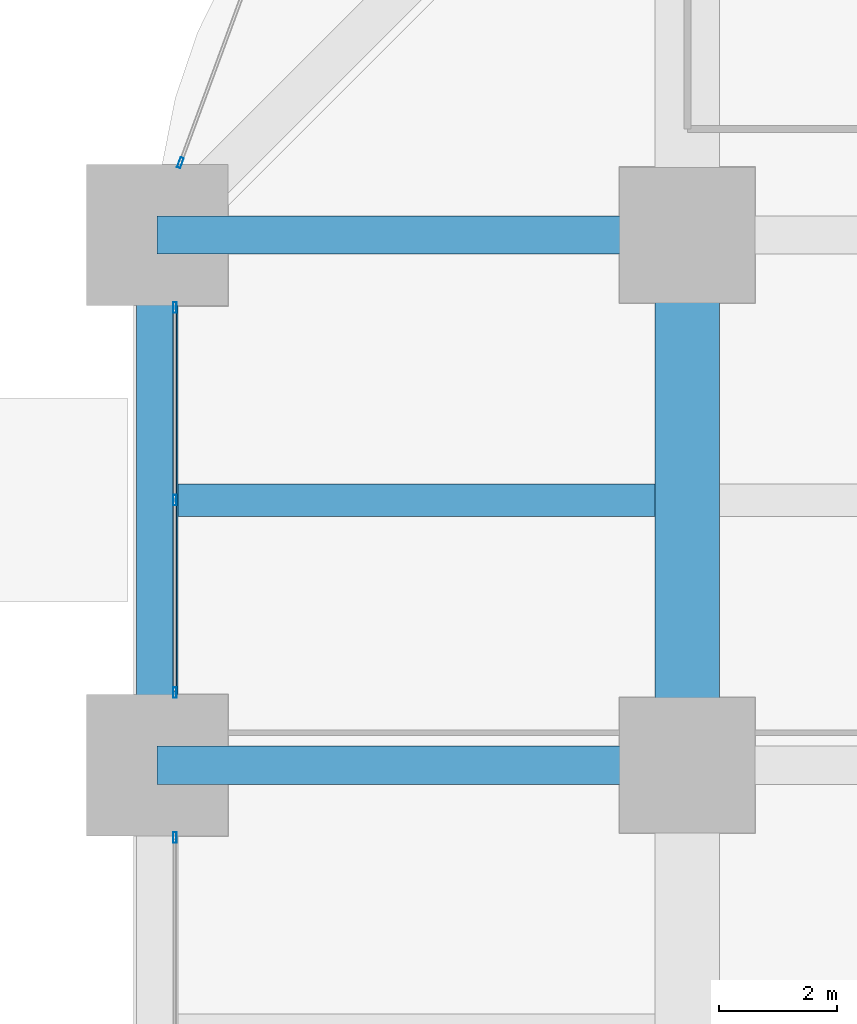
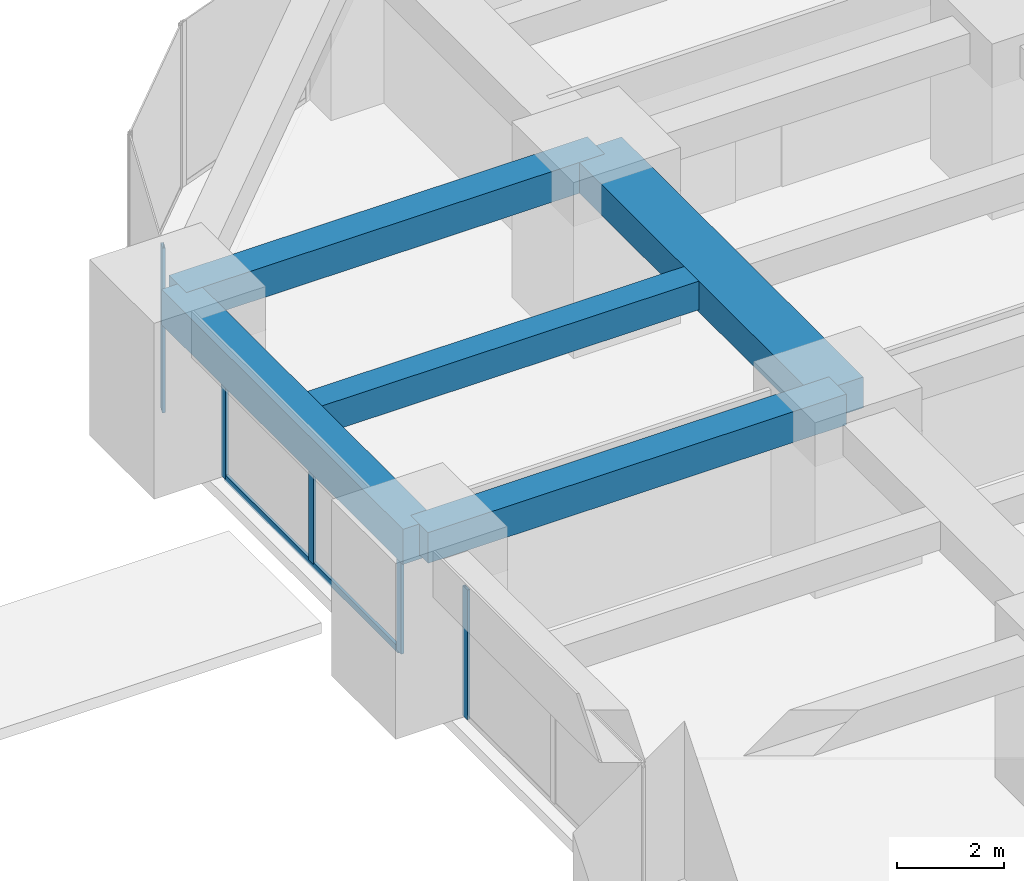
# One storey, part 16 of 39: 6 members, 5 beams, 3 elements without a shape of their own.
"""IFC4 building model written with IfcOpenShell, lengths in metres."""

import ifcopenshell
import ifcopenshell.guid

model = None  # the IFC model being written
_history = None  # IfcOwnerHistory: only IFC2X3 demands one
_inside = {}  # id of a spatial element -> (the spatial element, [elements in it])
_under = {}  # id of a project, library or spatial element -> (it, [spatial elements below it])
_declared = {}  # id of a project -> (the project, [libraries it declares])
_typed = {}  # id of a type object -> (the type object, [elements of that type])
_made_of = {}  # id of a material, layer set ... -> (it, [elements and type objects made of it])


def new_model(schema):
    """Start an empty IFC model of exactly this schema.

    Asked for "IFC4X3", IfcOpenShell would pick the latest addendum, in which some entities
    have other attributes; the version numbers below select the first issue.
    IFC2X3 requires an IfcOwnerHistory on every rooted entity: one is made here for all.
    """
    global model, _history
    if schema == "IFC4X3":
        model = ifcopenshell.file(schema_version=(4, 3, 0, 0))
    else:
        model = ifcopenshell.file(schema=schema)
    _inside.clear()
    _under.clear()
    _declared.clear()
    _typed.clear()
    _made_of.clear()
    _history = None
    if model.schema == "IFC2X3":
        org = make("IfcOrganization", Name="unknown")
        user = make(
            "IfcPersonAndOrganization",
            ThePerson=make("IfcPerson", FamilyName="unknown"),
            TheOrganization=org,
        )
        app = make(
            "IfcApplication",
            ApplicationDeveloper=org,
            Version="unknown",
            ApplicationFullName="unknown",
            ApplicationIdentifier="unknown",
        )
        _history = make(
            "IfcOwnerHistory",
            OwningUser=user,
            OwningApplication=app,
            ChangeAction="ADDED",
            CreationDate=0,
        )
    return model


def make(cls, **values):
    """One entity of the class cls with the attributes given. An attribute that is None is left unset."""
    return model.create_entity(
        cls, **{name: value for name, value in values.items() if value is not None}
    )


def rooted(cls, **values):
    """An entity with a GlobalId (a new one), such as an element, a storey or a relation."""
    return make(cls, GlobalId=ifcopenshell.guid.new(), OwnerHistory=_history, **values)


def si_unit(unit_type, name, prefix=None):
    """IfcSIUnit, for example si_unit("LENGTHUNIT", "METRE", prefix="MILLI")."""
    return make("IfcSIUnit", UnitType=unit_type, Prefix=prefix, Name=name)


def assignment(units):
    """IfcUnitAssignment: the units of a project."""
    return None if units is None else make("IfcUnitAssignment", Units=units)


def point(xyz):
    """IfcCartesianPoint."""
    return None if xyz is None else make("IfcCartesianPoint", Coordinates=xyz)


def direction(xyz):
    """IfcDirection."""
    return None if xyz is None else make("IfcDirection", DirectionRatios=xyz)


def frame(location, z_axis=None, x_axis=None):
    """IfcAxis2Placement3D, a coordinate frame: its origin and axes. An axis left out is left unset."""
    return make(
        "IfcAxis2Placement3D",
        Location=point(location),
        Axis=direction(z_axis),
        RefDirection=direction(x_axis),
    )


def frame_2d(location, x_axis=None):
    """IfcAxis2Placement2D, a coordinate frame in the plane: its origin and x axis."""
    return make(
        "IfcAxis2Placement2D", Location=point(location), RefDirection=direction(x_axis)
    )


def origin():
    """The frame at (0, 0, 0) with its axes left unset."""
    return frame((0.0, 0.0, 0.0))


def origin_2d():
    """The frame at (0, 0) in the plane with its x axis left unset."""
    return frame_2d((0.0, 0.0))


def place(relative_to, where):
    """IfcLocalPlacement: puts the frame where relative to a parent placement (None: the world)."""
    return make(
        "IfcLocalPlacement", PlacementRelTo=relative_to, RelativePlacement=where
    )


def context(
    kind, dimensions, precision=None, world=None, true_north=None, identifier=None
):
    """IfcGeometricRepresentationContext, for example the 3D "Model" context."""
    return make(
        "IfcGeometricRepresentationContext",
        ContextIdentifier=identifier,
        ContextType=kind,
        CoordinateSpaceDimension=dimensions,
        Precision=precision,
        WorldCoordinateSystem=world,
        TrueNorth=true_north,
    )


def subcontext(parent, identifier, kind, view, scale=None):
    """IfcGeometricRepresentationSubContext, for example "Body" below "Model"."""
    return make(
        "IfcGeometricRepresentationSubContext",
        ContextIdentifier=identifier,
        ContextType=kind,
        ParentContext=parent,
        TargetScale=scale,
        TargetView=view,
    )


def project(units=None, contexts=None):
    """IfcProject with its units and contexts."""
    return rooted(
        "IfcProject",
        Name="project",
        RepresentationContexts=contexts,
        UnitsInContext=assignment(units),
    )


def spatial(cls, under=None, at=None, **own):
    """A site, building, storey or space (cls), placed at a placement, below another one or the project."""
    s = rooted(cls, ObjectPlacement=at, **own)
    if under is not None:
        _under.setdefault(under.id(), (under, []))[1].append(s)
    return s


def profile(cls, at=None, kind="AREA", **sizes):
    """A parametric profile (cls). Its sizes go by their IFC names, for example OverallWidth=200.0."""
    return make(cls, ProfileType=kind, Position=at, **sizes)


def rectangle(**sizes):
    """IfcRectangleProfileDef."""
    return profile("IfcRectangleProfileDef", **sizes)


def hollow_rectangle(**sizes):
    """IfcRectangleHollowProfileDef."""
    return profile("IfcRectangleHollowProfileDef", **sizes)


def extrude(swept, where, along, depth):
    """IfcExtrudedAreaSolid: the profile swept, set in the frame where, extruded along a direction by depth."""
    return make(
        "IfcExtrudedAreaSolid",
        SweptArea=swept,
        Position=where,
        ExtrudedDirection=direction(along),
        Depth=depth,
    )


def shape(context_of_items, identifier, shape_type, items):
    """IfcShapeRepresentation: the items that make up one representation, for example the "Body"."""
    return make(
        "IfcShapeRepresentation",
        ContextOfItems=context_of_items,
        RepresentationIdentifier=identifier,
        RepresentationType=shape_type,
        Items=items,
    )


def material(Name=None, Category=None):
    """IfcMaterial."""
    return make("IfcMaterial", Name=Name, Category=Category)


def material_profile(
    of_material, cross_section, Name=None, Category=None, Priority=None
):
    """IfcMaterialProfile: a cross section and its material."""
    return make(
        "IfcMaterialProfile",
        Name=Name,
        Material=of_material,
        Profile=cross_section,
        Priority=Priority,
        Category=Category,
    )


def profile_set(profiles, Name=None, composite=None):
    """IfcMaterialProfileSet."""
    return make(
        "IfcMaterialProfileSet",
        Name=Name,
        MaterialProfiles=profiles,
        CompositeProfile=composite,
    )


def made_of(thing, what):
    """Note that an element or type object is made of a material, layer set ...; save() writes the relation."""
    if what is not None:
        _made_of.setdefault(what.id(), (what, []))[1].append(thing)
    return thing


def type_object(cls, material=None, **own):
    """A type object (cls), such as IfcWallType, which elements share."""
    return made_of(rooted(cls, **own), material)


def element(
    cls,
    number,
    at=None,
    inside=None,
    cuts=None,
    type_object=None,
    material=None,
    context=None,
    identifier="Body",
    shape_type=None,
    held_by="IfcProductDefinitionShape",
    body=None,
    shapes=None,
    **own,
):
    """One element of the class cls, such as IfcWall. Its Tag is "e" and its number.

    at: its placement. inside: the storey or other place that contains it. cuts: it is an
    opening in that element (IfcRelVoidsElement). A single representation is given by context,
    identifier, shape_type and body (its items); several are given by shapes. held_by: the class
    of the entity that holds the representations. save() writes the other relations.
    """
    e = rooted(cls, Tag="e%d" % number, ObjectPlacement=at, **own)
    if body is not None:
        shapes = [shape(context, identifier, shape_type, body)]
    if shapes is not None:
        e.Representation = make(held_by, Representations=shapes)
    if inside is not None:
        _inside.setdefault(inside.id(), (inside, []))[1].append(e)
    if cuts is not None:
        rooted(
            "IfcRelVoidsElement", RelatingBuildingElement=cuts, RelatedOpeningElement=e
        )
    if type_object is not None:
        _typed.setdefault(type_object.id(), (type_object, []))[1].append(e)
    return made_of(e, material)


def aggregate(whole, parts):
    """IfcRelAggregates: a whole, such as a stair, and the parts it consists of."""
    return rooted("IfcRelAggregates", RelatingObject=whole, RelatedObjects=parts)


def save(model, path):
    """Write the relations noted so far, then the file.

    IfcRelAggregates (storeys below a building ...), IfcRelContainedInSpatialStructure (elements
    in a storey), IfcRelDefinesByType, IfcRelAssociatesMaterial and IfcRelDeclares: one each for
    every whole, place, type object, material and project.
    """
    for whole, parts in _under.values():
        aggregate(whole, parts)
    for where, things in _inside.values():
        rooted(
            "IfcRelContainedInSpatialStructure",
            RelatedElements=things,
            RelatingStructure=where,
        )
    for kind, things in _typed.values():
        rooted("IfcRelDefinesByType", RelatedObjects=things, RelatingType=kind)
    for what, things in _made_of.values():
        rooted("IfcRelAssociatesMaterial", RelatedObjects=things, RelatingMaterial=what)
    for by, libraries in _declared.values():
        rooted("IfcRelDeclares", RelatingContext=by, RelatedDefinitions=libraries)
    model.write(path)


model = new_model("IFC4")

# Units and contexts
model_context = context("Model", 3, precision=1e-05, world=origin(), true_north=direction((0.0, 1.0)))
body_context = subcontext(model_context, "Body", "Model", "MODEL_VIEW")
ifc_project = project(units=[si_unit("LENGTHUNIT", "METRE"), si_unit("AREAUNIT", "SQUARE_METRE"), si_unit("VOLUMEUNIT", "CUBIC_METRE"), si_unit("PLANEANGLEUNIT", "RADIAN"), si_unit("MASSUNIT", "GRAM", prefix="KILO")], contexts=[model_context])

# Site, building, storey
site_placement = place(None, origin())
site = spatial("IfcSite", under=ifc_project, at=site_placement, CompositionType="ELEMENT")
building_placement = place(site_placement, origin())
building = spatial("IfcBuilding", under=site, at=building_placement, Name="Zorevar Civic Tower", CompositionType="ELEMENT")
storey_placement = place(building_placement, frame((0.0, 0.0, 19.800048828125)))
storey = spatial("IfcBuildingStorey", under=building, at=storey_placement, Name="L04", CompositionType="ELEMENT", Elevation=19.800048828125)

# Beams
ifc_material_1 = material(Name="Concrete C50/60", Category="concrete")
ifc_material_profile_1 = material_profile(ifc_material_1, rectangle(XDim=1.10009765625, YDim=0.699951171875, at=origin_2d()), Name="RC 1100x700")
ifc_profile_set_1 = profile_set([ifc_material_profile_1], Name="Concrete C50/60")
beam_type_1 = type_object("IfcBeamType", Name="Beam RC 1100x700", PredefinedType="BEAM", material=ifc_profile_set_1)
beam_1_placement = place(storey_placement, frame((9.0, 36.0, 3.39990234375), z_axis=(0.0, 1.0, 0.0), x_axis=(-1.0, 0.0, 0.0)))
element("IfcBeam", 1, at=beam_1_placement, inside=storey, type_object=beam_type_1, Name="Girder L05", PredefinedType="BEAM", context=body_context, shape_type="SweptSolid", body=[
    extrude(rectangle(XDim=1.10009765625, YDim=0.699951171875, at=origin_2d()), origin(), (0.0, 0.0, 1.0), 9.0),
])
ifc_material_2 = material(Name="Concrete C50/60", Category="concrete")
ifc_material_profile_2 = material_profile(ifc_material_2, rectangle(XDim=0.550048828125, YDim=0.64990234375, at=origin_2d()), Name="RC 550x650")
ifc_profile_set_2 = profile_set([ifc_material_profile_2], Name="Concrete C50/60")
beam_type_2 = type_object("IfcBeamType", Name="Beam RC 550x650", PredefinedType="BEAM", material=ifc_profile_set_2)
beam_2_placement = place(storey_placement, frame((0.35009765625, 40.5, 3.425048828125), z_axis=(1.0, 0.0, 0.0), x_axis=(0.0, 1.0, 0.0)))
element("IfcBeam", 2, at=beam_2_placement, inside=storey, type_object=beam_type_2, Name="Secondary beam L05", PredefinedType="BEAM", context=body_context, shape_type="SweptSolid", body=[
    extrude(rectangle(XDim=0.550048828125, YDim=0.64990234375, at=origin_2d()), origin(), (0.0, 0.0, 1.0), 8.099853515625),
])
ifc_material_3 = material(Name="Concrete C50/60", Category="concrete")
ifc_material_profile_3 = material_profile(ifc_material_3, rectangle(XDim=0.64990234375, YDim=0.699951171875, at=origin_2d()), Name="RC 650x700")
ifc_profile_set_3 = profile_set([ifc_material_profile_3], Name="Concrete C50/60")
beam_type_3 = type_object("IfcBeamType", Name="Beam RC 650x700", PredefinedType="BEAM", material=ifc_profile_set_3)
for number, where, z_axis, x_axis, name in (
    (3, (0.0, 36.0, 3.39990234375), (1.0, 0.0, 0.0), (0.0, 1.0, 0.0), "Girder L05"),
    (4, (0.0, 45.0, 3.39990234375), (1.0, 0.0, 0.0), (0.0, 1.0, 0.0), "Girder L05"),
):
    element("IfcBeam", number, at=place(storey_placement, frame(where, z_axis=z_axis, x_axis=x_axis)), inside=storey, type_object=beam_type_3, Name=name, PredefinedType="BEAM", context=body_context, shape_type="SweptSolid", body=[
        extrude(rectangle(XDim=0.64990234375, YDim=0.699951171875, at=origin_2d()), origin(), (0.0, 0.0, 1.0), 9.0),
    ])

# Curtain wall, member
ifc_material_4 = material(Name="Dark grey solar-control glass in black aluminium frame", Category="aluminium")
curtain_wall_type = type_object("IfcCurtainWallType", Name="Curtain wall CW2 low zone", PredefinedType="NOTDEFINED", material=ifc_material_4)
curtain_wall_1_placement = place(storey_placement, origin())
curtain_wall_1 = element("IfcCurtainWall", 5, at=curtain_wall_1_placement, inside=storey, type_object=curtain_wall_type, Name="CW2 L04", PredefinedType="NOTDEFINED")
ifc_material_5 = material(Name="Aluminium, black anodised", Category="aluminium")
ifc_material_profile_4 = material_profile(ifc_material_5, hollow_rectangle(XDim=0.06005859375, YDim=0.179931640625, WallThickness=0.00390625, at=origin_2d()), Name="AL 180x60x4")
ifc_profile_set_4 = profile_set([ifc_material_profile_4], Name="Aluminium, black anodised")
member_type_1 = type_object("IfcMemberType", Name="CW2 mullion AL 180x60x4", PredefinedType="MULLION", material=ifc_profile_set_4)
member_1_placement = place(storey_placement, frame((0.300048828125, 34.77001953125, 0.0), z_axis=(0.0, 0.0, 1.0), x_axis=(-1.0, 0.0, 0.0)))
member_1 = element("IfcMember", 6, at=member_1_placement, type_object=member_type_1, Name="CW2 mullion 3", PredefinedType="MULLION", context=body_context, shape_type="SweptSolid", body=[
    extrude(hollow_rectangle(XDim=0.06005859375, YDim=0.179931640625, WallThickness=0.00390625, at=origin_2d()), origin(), (0.0, 0.0, 1.0), 2.949951171875),
])
aggregate(curtain_wall_1, [member_1])

# Curtain wall, members
curtain_wall_2_placement = place(storey_placement, origin())
curtain_wall_2 = element("IfcCurtainWall", 7, at=curtain_wall_2_placement, inside=storey, type_object=curtain_wall_type, Name="CW2 L04", PredefinedType="NOTDEFINED")
member_2_placement = place(storey_placement, frame((0.300048828125, 37.22998046875, 0.0), z_axis=(0.0, 0.0, 1.0), x_axis=(-1.0, 0.0, 0.0)))
member_2 = element("IfcMember", 8, at=member_2_placement, type_object=member_type_1, Name="CW2 mullion 1", PredefinedType="MULLION", context=body_context, shape_type="SweptSolid", body=[
    extrude(hollow_rectangle(XDim=0.06005859375, YDim=0.179931640625, WallThickness=0.00390625, at=origin_2d()), origin(), (0.0, 0.0, 1.0), 2.949951171875),
])
member_3_placement = place(storey_placement, frame((0.300048828125, 40.5, 0.06005859375), z_axis=(0.0, 0.0, 1.0), x_axis=(-1.0, 0.0, 0.0)))
member_3 = element("IfcMember", 9, at=member_3_placement, type_object=member_type_1, Name="CW2 mullion 2", PredefinedType="MULLION", context=body_context, shape_type="SweptSolid", body=[
    extrude(hollow_rectangle(XDim=0.06005859375, YDim=0.179931640625, WallThickness=0.00390625, at=origin_2d()), origin(), (0.0, 0.0, 1.0), 2.889892578125),
])
member_4_placement = place(storey_placement, frame((0.300048828125, 43.77001953125, 0.0), z_axis=(0.0, 0.0, 1.0), x_axis=(-1.0, 0.0, 0.0)))
member_4 = element("IfcMember", 10, at=member_4_placement, type_object=member_type_1, Name="CW2 mullion 3", PredefinedType="MULLION", context=body_context, shape_type="SweptSolid", body=[
    extrude(hollow_rectangle(XDim=0.06005859375, YDim=0.179931640625, WallThickness=0.00390625, at=origin_2d()), origin(), (0.0, 0.0, 1.0), 2.949951171875),
])

# Curtain wall, member
curtain_wall_3_placement = place(storey_placement, origin())
curtain_wall_3 = element("IfcCurtainWall", 11, at=curtain_wall_3_placement, inside=storey, type_object=curtain_wall_type, Name="CW2 L04", PredefinedType="NOTDEFINED")
member_5_placement = place(storey_placement, frame((0.3935546875, 46.22802734375, 0.0), z_axis=(0.0, 0.0, 1.0), x_axis=(0.937974588163, -0.346704012033, 0.0)))
member_5 = element("IfcMember", 12, at=member_5_placement, type_object=member_type_1, Name="CW2 mullion 2", PredefinedType="MULLION", context=body_context, shape_type="SweptSolid", body=[
    extrude(hollow_rectangle(XDim=0.06005859375, YDim=0.179931640625, WallThickness=0.00390625, at=origin_2d()), origin(), (0.0, 0.0, 1.0), 3.75),
])
aggregate(curtain_wall_3, [member_5])

# Member
ifc_material_6 = material(Name="Aluminium, black anodised", Category="aluminium")
ifc_material_profile_5 = material_profile(ifc_material_6, hollow_rectangle(XDim=0.06005859375, YDim=0.14990234375, WallThickness=0.00390625, at=origin_2d()), Name="AL 150x60x4")
ifc_profile_set_5 = profile_set([ifc_material_profile_5], Name="Aluminium, black anodised")
member_type_2 = type_object("IfcMemberType", Name="CW2 transom AL 150x60x4", PredefinedType="USERDEFINED", material=ifc_profile_set_5)
member_6_placement = place(storey_placement, frame((0.300048828125, 37.260009765625, 0.030029296875), z_axis=(0.0, 1.0, 0.0), x_axis=(-1.0, 0.0, 0.0)))
member_6 = element("IfcMember", 13, at=member_6_placement, type_object=member_type_2, Name="CW2 sill transom", ObjectType="TRANSOM", PredefinedType="USERDEFINED", context=body_context, shape_type="SweptSolid", body=[
    extrude(hollow_rectangle(XDim=0.06005859375, YDim=0.14990234375, WallThickness=0.00390625, at=origin_2d()), origin(), (0.0, 0.0, 1.0), 6.47998046875),
])

aggregate(curtain_wall_2, [member_2, member_3, member_4, member_6])

# Beam
ifc_material_7 = material(Name="Concrete C50/60", Category="concrete")
ifc_material_profile_6 = material_profile(ifc_material_7, rectangle(XDim=0.699951171875, YDim=0.800048828125, at=origin_2d()), Name="RC 700x800")
ifc_profile_set_6 = profile_set([ifc_material_profile_6], Name="Concrete C50/60")
beam_type_4 = type_object("IfcBeamType", Name="Edge beam RC 700x800", PredefinedType="SPANDREL", material=ifc_profile_set_6)
beam_3_placement = place(storey_placement, frame((0.0, 36.0, 3.349853515625), z_axis=(0.0, 1.0, 0.0), x_axis=(-1.0, 0.0, 0.0)))
element("IfcBeam", 14, at=beam_3_placement, inside=storey, type_object=beam_type_4, Name="Edge beam L05", PredefinedType="SPANDREL", context=body_context, shape_type="SweptSolid", body=[
    extrude(rectangle(XDim=0.699951171875, YDim=0.800048828125, at=origin_2d()), origin(), (0.0, 0.0, 1.0), 9.0),
])

save(model, "model.ifc")
